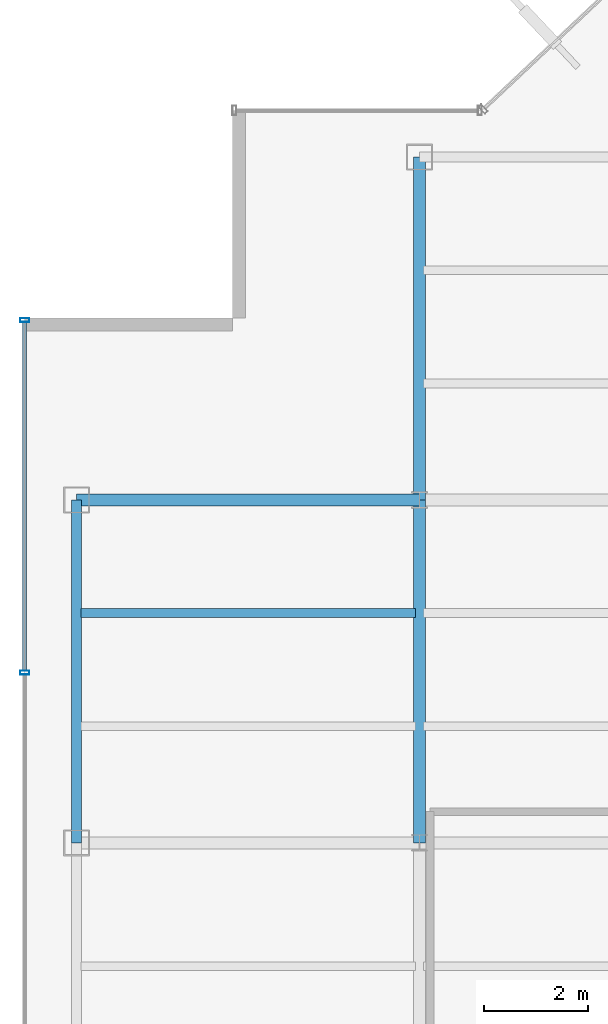
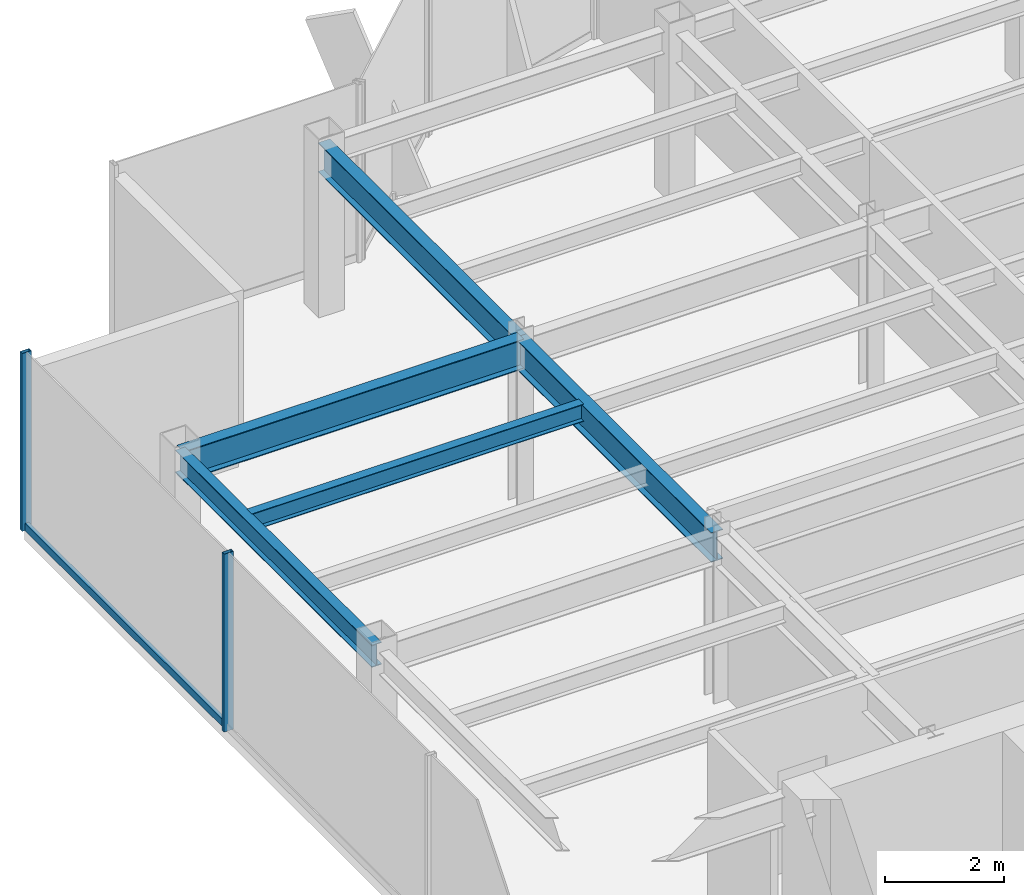
# One storey, part 7 of 22: 5 beams, 3 members, 1 element without a shape of its own.
"""IFC4 building model written with IfcOpenShell, lengths in metres."""

import ifcopenshell
import ifcopenshell.guid

model = None  # the IFC model being written
_history = None  # IfcOwnerHistory: only IFC2X3 demands one
_inside = {}  # id of a spatial element -> (the spatial element, [elements in it])
_under = {}  # id of a project, library or spatial element -> (it, [spatial elements below it])
_declared = {}  # id of a project -> (the project, [libraries it declares])
_typed = {}  # id of a type object -> (the type object, [elements of that type])
_made_of = {}  # id of a material, layer set ... -> (it, [elements and type objects made of it])


def new_model(schema):
    """Start an empty IFC model of exactly this schema.

    Asked for "IFC4X3", IfcOpenShell would pick the latest addendum, in which some entities
    have other attributes; the version numbers below select the first issue.
    IFC2X3 requires an IfcOwnerHistory on every rooted entity: one is made here for all.
    """
    global model, _history
    if schema == "IFC4X3":
        model = ifcopenshell.file(schema_version=(4, 3, 0, 0))
    else:
        model = ifcopenshell.file(schema=schema)
    _inside.clear()
    _under.clear()
    _declared.clear()
    _typed.clear()
    _made_of.clear()
    _history = None
    if model.schema == "IFC2X3":
        org = make("IfcOrganization", Name="unknown")
        user = make(
            "IfcPersonAndOrganization",
            ThePerson=make("IfcPerson", FamilyName="unknown"),
            TheOrganization=org,
        )
        app = make(
            "IfcApplication",
            ApplicationDeveloper=org,
            Version="unknown",
            ApplicationFullName="unknown",
            ApplicationIdentifier="unknown",
        )
        _history = make(
            "IfcOwnerHistory",
            OwningUser=user,
            OwningApplication=app,
            ChangeAction="ADDED",
            CreationDate=0,
        )
    return model


def make(cls, **values):
    """One entity of the class cls with the attributes given. An attribute that is None is left unset."""
    return model.create_entity(
        cls, **{name: value for name, value in values.items() if value is not None}
    )


def rooted(cls, **values):
    """An entity with a GlobalId (a new one), such as an element, a storey or a relation."""
    return make(cls, GlobalId=ifcopenshell.guid.new(), OwnerHistory=_history, **values)


def si_unit(unit_type, name, prefix=None):
    """IfcSIUnit, for example si_unit("LENGTHUNIT", "METRE", prefix="MILLI")."""
    return make("IfcSIUnit", UnitType=unit_type, Prefix=prefix, Name=name)


def derived_unit(unit_type, elements):
    """IfcDerivedUnit: a product of units, each with its exponent."""
    return make(
        "IfcDerivedUnit",
        Elements=[
            make("IfcDerivedUnitElement", Unit=unit, Exponent=power)
            for unit, power in elements
        ],
        UnitType=unit_type,
    )


def assignment(units):
    """IfcUnitAssignment: the units of a project."""
    return None if units is None else make("IfcUnitAssignment", Units=units)


def point(xyz):
    """IfcCartesianPoint."""
    return None if xyz is None else make("IfcCartesianPoint", Coordinates=xyz)


def direction(xyz):
    """IfcDirection."""
    return None if xyz is None else make("IfcDirection", DirectionRatios=xyz)


def frame(location, z_axis=None, x_axis=None):
    """IfcAxis2Placement3D, a coordinate frame: its origin and axes. An axis left out is left unset."""
    return make(
        "IfcAxis2Placement3D",
        Location=point(location),
        Axis=direction(z_axis),
        RefDirection=direction(x_axis),
    )


def frame_2d(location, x_axis=None):
    """IfcAxis2Placement2D, a coordinate frame in the plane: its origin and x axis."""
    return make(
        "IfcAxis2Placement2D", Location=point(location), RefDirection=direction(x_axis)
    )


def origin():
    """The frame at (0, 0, 0) with its axes left unset."""
    return frame((0.0, 0.0, 0.0))


def origin_2d():
    """The frame at (0, 0) in the plane with its x axis left unset."""
    return frame_2d((0.0, 0.0))


def place(relative_to, where):
    """IfcLocalPlacement: puts the frame where relative to a parent placement (None: the world)."""
    return make(
        "IfcLocalPlacement", PlacementRelTo=relative_to, RelativePlacement=where
    )


def context(
    kind, dimensions, precision=None, world=None, true_north=None, identifier=None
):
    """IfcGeometricRepresentationContext, for example the 3D "Model" context."""
    return make(
        "IfcGeometricRepresentationContext",
        ContextIdentifier=identifier,
        ContextType=kind,
        CoordinateSpaceDimension=dimensions,
        Precision=precision,
        WorldCoordinateSystem=world,
        TrueNorth=true_north,
    )


def subcontext(parent, identifier, kind, view, scale=None):
    """IfcGeometricRepresentationSubContext, for example "Body" below "Model"."""
    return make(
        "IfcGeometricRepresentationSubContext",
        ContextIdentifier=identifier,
        ContextType=kind,
        ParentContext=parent,
        TargetScale=scale,
        TargetView=view,
    )


def project(units=None, contexts=None):
    """IfcProject with its units and contexts."""
    return rooted(
        "IfcProject",
        Name="project",
        RepresentationContexts=contexts,
        UnitsInContext=assignment(units),
    )


def spatial(cls, under=None, at=None, **own):
    """A site, building, storey or space (cls), placed at a placement, below another one or the project."""
    s = rooted(cls, ObjectPlacement=at, **own)
    if under is not None:
        _under.setdefault(under.id(), (under, []))[1].append(s)
    return s


def profile(cls, at=None, kind="AREA", **sizes):
    """A parametric profile (cls). Its sizes go by their IFC names, for example OverallWidth=200.0."""
    return make(cls, ProfileType=kind, Position=at, **sizes)


def hollow_rectangle(**sizes):
    """IfcRectangleHollowProfileDef."""
    return profile("IfcRectangleHollowProfileDef", **sizes)


def i_section(**sizes):
    """IfcIShapeProfileDef."""
    return profile("IfcIShapeProfileDef", **sizes)


def extrude(swept, where, along, depth):
    """IfcExtrudedAreaSolid: the profile swept, set in the frame where, extruded along a direction by depth."""
    return make(
        "IfcExtrudedAreaSolid",
        SweptArea=swept,
        Position=where,
        ExtrudedDirection=direction(along),
        Depth=depth,
    )


def shape(context_of_items, identifier, shape_type, items):
    """IfcShapeRepresentation: the items that make up one representation, for example the "Body"."""
    return make(
        "IfcShapeRepresentation",
        ContextOfItems=context_of_items,
        RepresentationIdentifier=identifier,
        RepresentationType=shape_type,
        Items=items,
    )


def source(mapping_origin, context_of_items, identifier, shape_type, items):
    """IfcRepresentationMap: a shape defined once, which mapped items show again and again."""
    return make(
        "IfcRepresentationMap",
        MappingOrigin=mapping_origin,
        MappedRepresentation=shape(context_of_items, identifier, shape_type, items),
    )


def transform(
    local_origin,
    x_axis=None,
    y_axis=None,
    z_axis=None,
    scale=None,
    scale2=None,
    scale3=None,
    uniform=True,
):
    """IfcCartesianTransformationOperator3D, or its non-uniform kind. x_axis, y_axis, z_axis: its Axis1, 2, 3."""
    if uniform:
        return make(
            "IfcCartesianTransformationOperator3D",
            Axis1=direction(x_axis),
            Axis2=direction(y_axis),
            LocalOrigin=point(local_origin),
            Scale=scale,
            Axis3=direction(z_axis),
        )
    return make(
        "IfcCartesianTransformationOperator3DnonUniform",
        Axis1=direction(x_axis),
        Axis2=direction(y_axis),
        LocalOrigin=point(local_origin),
        Scale=scale,
        Axis3=direction(z_axis),
        Scale2=scale2,
        Scale3=scale3,
    )


def mapped(mapping_source, mapping_target):
    """IfcMappedItem: shows the shape of a source again, moved by a transform."""
    return make(
        "IfcMappedItem", MappingSource=mapping_source, MappingTarget=mapping_target
    )


def material(Name=None, Category=None):
    """IfcMaterial."""
    return make("IfcMaterial", Name=Name, Category=Category)


def material_profile(
    of_material, cross_section, Name=None, Category=None, Priority=None
):
    """IfcMaterialProfile: a cross section and its material."""
    return make(
        "IfcMaterialProfile",
        Name=Name,
        Material=of_material,
        Profile=cross_section,
        Priority=Priority,
        Category=Category,
    )


def profile_set(profiles, Name=None, composite=None):
    """IfcMaterialProfileSet."""
    return make(
        "IfcMaterialProfileSet",
        Name=Name,
        MaterialProfiles=profiles,
        CompositeProfile=composite,
    )


def made_of(thing, what):
    """Note that an element or type object is made of a material, layer set ...; save() writes the relation."""
    if what is not None:
        _made_of.setdefault(what.id(), (what, []))[1].append(thing)
    return thing


def type_object(cls, material=None, **own):
    """A type object (cls), such as IfcWallType, which elements share."""
    return made_of(rooted(cls, **own), material)


def element(
    cls,
    number,
    at=None,
    inside=None,
    cuts=None,
    type_object=None,
    material=None,
    context=None,
    identifier="Body",
    shape_type=None,
    held_by="IfcProductDefinitionShape",
    body=None,
    shapes=None,
    **own,
):
    """One element of the class cls, such as IfcWall. Its Tag is "e" and its number.

    at: its placement. inside: the storey or other place that contains it. cuts: it is an
    opening in that element (IfcRelVoidsElement). A single representation is given by context,
    identifier, shape_type and body (its items); several are given by shapes. held_by: the class
    of the entity that holds the representations. save() writes the other relations.
    """
    e = rooted(cls, Tag="e%d" % number, ObjectPlacement=at, **own)
    if body is not None:
        shapes = [shape(context, identifier, shape_type, body)]
    if shapes is not None:
        e.Representation = make(held_by, Representations=shapes)
    if inside is not None:
        _inside.setdefault(inside.id(), (inside, []))[1].append(e)
    if cuts is not None:
        rooted(
            "IfcRelVoidsElement", RelatingBuildingElement=cuts, RelatedOpeningElement=e
        )
    if type_object is not None:
        _typed.setdefault(type_object.id(), (type_object, []))[1].append(e)
    return made_of(e, material)


def aggregate(whole, parts):
    """IfcRelAggregates: a whole, such as a stair, and the parts it consists of."""
    return rooted("IfcRelAggregates", RelatingObject=whole, RelatedObjects=parts)


def save(model, path):
    """Write the relations noted so far, then the file.

    IfcRelAggregates (storeys below a building ...), IfcRelContainedInSpatialStructure (elements
    in a storey), IfcRelDefinesByType, IfcRelAssociatesMaterial and IfcRelDeclares: one each for
    every whole, place, type object, material and project.
    """
    for whole, parts in _under.values():
        aggregate(whole, parts)
    for where, things in _inside.values():
        rooted(
            "IfcRelContainedInSpatialStructure",
            RelatedElements=things,
            RelatingStructure=where,
        )
    for kind, things in _typed.values():
        rooted("IfcRelDefinesByType", RelatedObjects=things, RelatingType=kind)
    for what, things in _made_of.values():
        rooted("IfcRelAssociatesMaterial", RelatedObjects=things, RelatingMaterial=what)
    for by, libraries in _declared.values():
        rooted("IfcRelDeclares", RelatingContext=by, RelatedDefinitions=libraries)
    model.write(path)


model = new_model("IFC4")

# Units and contexts
model_context = context("Model", 3, precision=1e-05, world=origin(), true_north=direction((0.0, 1.0)))
body_context = subcontext(model_context, "Body", "Model", "MODEL_VIEW")
ifc_project = project(units=[si_unit("LENGTHUNIT", "METRE"), si_unit("AREAUNIT", "SQUARE_METRE"), si_unit("VOLUMEUNIT", "CUBIC_METRE"), si_unit("PLANEANGLEUNIT", "RADIAN"), si_unit("MASSUNIT", "GRAM", prefix="KILO"), derived_unit("THERMALTRANSMITTANCEUNIT", [(si_unit("POWERUNIT", "WATT"), 1), (si_unit("LENGTHUNIT", "METRE"), -2), (si_unit("THERMODYNAMICTEMPERATUREUNIT", "KELVIN"), -1)])], contexts=[model_context])

# Site, building, storey
site_placement = place(None, origin())
site = spatial("IfcSite", under=ifc_project, at=site_placement, CompositionType="ELEMENT")
building_placement = place(site_placement, origin())
building = spatial("IfcBuilding", under=site, at=building_placement, Name="Skarnbrae Concourse Arena and Tower", CompositionType="ELEMENT")
storey_placement = place(building_placement, frame((0.0, 0.0, 217.800048828125)))
storey = spatial("IfcBuildingStorey", under=building, at=storey_placement, Name="L56", CompositionType="ELEMENT", Elevation=217.800048828125)

# Beams
ifc_material_1 = material(Name="Steel CSA G40.21 350W", Category="steel")
ifc_material_profile_1 = material_profile(ifc_material_1, i_section(OverallWidth=0.22802734375, OverallDepth=0.60791015625, WebThickness=0.01123046875, FlangeThickness=0.017333984375, at=origin_2d()), Name="W610X113")
ifc_profile_set_1 = profile_set([ifc_material_profile_1], Name="Steel CSA G40.21 350W")
beam_type_1 = type_object("IfcBeamType", Name="BM-GIRD-W610X113", PredefinedType="BEAM", material=ifc_profile_set_1)
shared_shape_1 = source(origin(), body_context, "Body", "SweptSolid", [
    extrude(i_section(OverallWidth=0.22802734375, OverallDepth=0.60791015625, WebThickness=0.01123046875, FlangeThickness=0.017333984375, at=origin_2d()), origin(), (0.0, 0.0, 1.0), 6.60009765625),
])
for number, where, z_axis, x_axis, name in (
    (1, (1.0, 27.800048828125, 3.095947265625), (1.0, 0.0, 0.0), (0.0, 1.0, 0.0), "L56 Primary E-W girder Y27.8-1"),
    (2, (7.60009765625, 21.199951171875, 3.095947265625), (0.0, 1.0, 0.0), (-1.0, 0.0, 0.0), "L56 Primary N-S girder X7.6-2"),
):
    element("IfcBeam", number, at=place(storey_placement, frame(where, z_axis=z_axis, x_axis=x_axis)), inside=storey, type_object=beam_type_1, Name=name, PredefinedType="BEAM", context=body_context, shape_type="MappedRepresentation", body=[
        mapped(shared_shape_1, transform((0.0, 0.0, 0.0))),
    ])
ifc_material_profile_2 = material_profile(ifc_material_1, i_section(OverallWidth=0.19091796875, OverallDepth=0.4599609375, WebThickness=0.010009765625, FlangeThickness=0.01611328125, at=origin_2d()), Name="W460X82")
ifc_profile_set_2 = profile_set([ifc_material_profile_2], Name="Steel CSA G40.21 350W")
beam_type_2 = type_object("IfcBeamType", Name="BM-SPAN-W460X82", PredefinedType="SPANDREL", material=ifc_profile_set_2)
shared_shape_2 = source(origin(), body_context, "Body", "SweptSolid", [
    extrude(i_section(OverallWidth=0.19091796875, OverallDepth=0.4599609375, WebThickness=0.010009765625, FlangeThickness=0.01611328125, at=origin_2d()), origin(), (0.0, 0.0, 1.0), 6.60009765625),
])
beam_1_placement = place(storey_placement, frame((1.0, 21.199951171875, 3.169921875), z_axis=(0.0, 1.0, 0.0), x_axis=(-1.0, 0.0, 0.0)))
element("IfcBeam", 3, at=beam_1_placement, inside=storey, type_object=beam_type_2, Name="L56 Perimeter spandrel X1.0-3", PredefinedType="SPANDREL", context=body_context, shape_type="MappedRepresentation", body=[
    mapped(shared_shape_2, transform((0.0, 0.0, 0.0))),
])
shared_shape_3 = source(origin(), body_context, "Body", "SweptSolid", [
    extrude(i_section(OverallWidth=0.22802734375, OverallDepth=0.60791015625, WebThickness=0.01123046875, FlangeThickness=0.017333984375, at=origin_2d()), origin(), (0.0, 0.0, 1.0), 6.599853515625),
])
beam_2_placement = place(storey_placement, frame((7.60009765625, 27.800048828125, 3.095947265625), z_axis=(0.0, 1.0, 0.0), x_axis=(-1.0, 0.0, 0.0)))
element("IfcBeam", 4, at=beam_2_placement, inside=storey, type_object=beam_type_1, Name="L56 Primary N-S girder X7.6-3", PredefinedType="BEAM", context=body_context, shape_type="MappedRepresentation", body=[
    mapped(shared_shape_3, transform((0.0, 0.0, 0.0))),
])
ifc_material_profile_3 = material_profile(ifc_material_1, i_section(OverallWidth=0.1708984375, OverallDepth=0.35498046875, WebThickness=0.007080078125, FlangeThickness=0.01171875, at=origin_2d()), Name="W360X51")
ifc_profile_set_3 = profile_set([ifc_material_profile_3], Name="Steel CSA G40.21 350W")
beam_type_3 = type_object("IfcBeamType", Name="BM-JOIST-W360X51", PredefinedType="JOIST", material=ifc_profile_set_3)
shared_shape_4 = source(origin(), body_context, "Body", "SweptSolid", [
    extrude(i_section(OverallWidth=0.1708984375, OverallDepth=0.35498046875, WebThickness=0.007080078125, FlangeThickness=0.01171875, at=origin_2d()), origin(), (0.0, 0.0, 1.0), 6.43994140625),
])
beam_3_placement = place(storey_placement, frame((1.080078125, 25.6220703125, 3.222412109375), z_axis=(1.0, 0.0, 0.0), x_axis=(0.0, 1.0, 0.0)))
element("IfcBeam", 5, at=beam_3_placement, inside=storey, type_object=beam_type_3, Name="L56 Secondary floor joist 2.2.1", PredefinedType="JOIST", context=body_context, shape_type="MappedRepresentation", body=[
    mapped(shared_shape_4, transform((0.0, 0.0, 0.0))),
])

# Curtain wall, members
ifc_material_2 = material(Name="Bronze anodised aluminium 6063-T6", Category="aluminium")
curtain_wall_type = type_object("IfcCurtainWallType", Name="CW-SYS-05-HIGHZONE", PredefinedType="USERDEFINED", material=ifc_material_2)
curtain_wall_placement = place(storey_placement, origin())
curtain_wall = element("IfcCurtainWall", 6, at=curtain_wall_placement, inside=storey, type_object=curtain_wall_type, Name="L56 Unitised curtain wall CW-L56-E18", ObjectType="UNITISED CURTAIN WALL", PredefinedType="USERDEFINED")
ifc_material_profile_4 = material_profile(ifc_material_2, hollow_rectangle(XDim=0.074951171875, YDim=0.179931640625, WallThickness=0.00390625, at=origin_2d()), Name="ALU-MULL-75X180")
ifc_profile_set_4 = profile_set([ifc_material_profile_4], Name="Bronze anodised aluminium 6063-T6")
member_type_1 = type_object("IfcMemberType", Name="CWM-CW-05", PredefinedType="MULLION", material=ifc_profile_set_4)
shared_shape_5 = source(origin(), body_context, "Body", "SweptSolid", [
    extrude(hollow_rectangle(XDim=0.074951171875, YDim=0.179931640625, WallThickness=0.00390625, at=origin_2d()), origin(), (0.0, 0.0, 1.0), 3.64990234375),
])
member_1_placement = place(storey_placement, frame((0.0, 31.262451171875, 0.0), z_axis=(0.0, 0.0, 1.0), x_axis=(0.0, -1.0, 0.0)))
member_1 = element("IfcMember", 7, at=member_1_placement, type_object=member_type_1, Name="CW-L56-E18 Mullion 1", PredefinedType="MULLION", context=body_context, shape_type="MappedRepresentation", body=[
    mapped(shared_shape_5, transform((0.0, 0.0, 0.0))),
])
member_2_placement = place(storey_placement, frame((0.0, 24.47509765625, 0.0), z_axis=(0.0, 0.0, 1.0), x_axis=(0.0, -1.0, 0.0)))
member_2 = element("IfcMember", 8, at=member_2_placement, type_object=member_type_1, Name="CW-L56-E18 Mullion 2", PredefinedType="MULLION", context=body_context, shape_type="MappedRepresentation", body=[
    mapped(shared_shape_5, transform((0.0, 0.0, 0.0))),
])
ifc_material_profile_5 = material_profile(ifc_material_2, hollow_rectangle(XDim=0.074951171875, YDim=0.14990234375, WallThickness=0.00390625, at=origin_2d()), Name="ALU-TRAN-75X150")
ifc_profile_set_5 = profile_set([ifc_material_profile_5], Name="Bronze anodised aluminium 6063-T6")
member_type_2 = type_object("IfcMemberType", Name="CWT-CW-05", PredefinedType="USERDEFINED", material=ifc_profile_set_5)
shared_shape_6 = source(origin(), body_context, "Body", "SweptSolid", [
    extrude(hollow_rectangle(XDim=0.074951171875, YDim=0.14990234375, WallThickness=0.00390625, at=origin_2d()), origin(), (0.0, 0.0, 1.0), 6.712646484375),
])
member_3_placement = place(storey_placement, frame((0.0, 31.22509765625, 0.074951171875), z_axis=(0.0, -1.0, 0.0), x_axis=(1.0, 0.0, 0.0)))
member_3 = element("IfcMember", 9, at=member_3_placement, type_object=member_type_2, Name="CW-L56-E18 Transom 1", ObjectType="TRANSOM", PredefinedType="USERDEFINED", context=body_context, shape_type="MappedRepresentation", body=[
    mapped(shared_shape_6, transform((0.0, 0.0, 0.0))),
])
aggregate(curtain_wall, [member_1, member_2, member_3])

save(model, "model.ifc")
